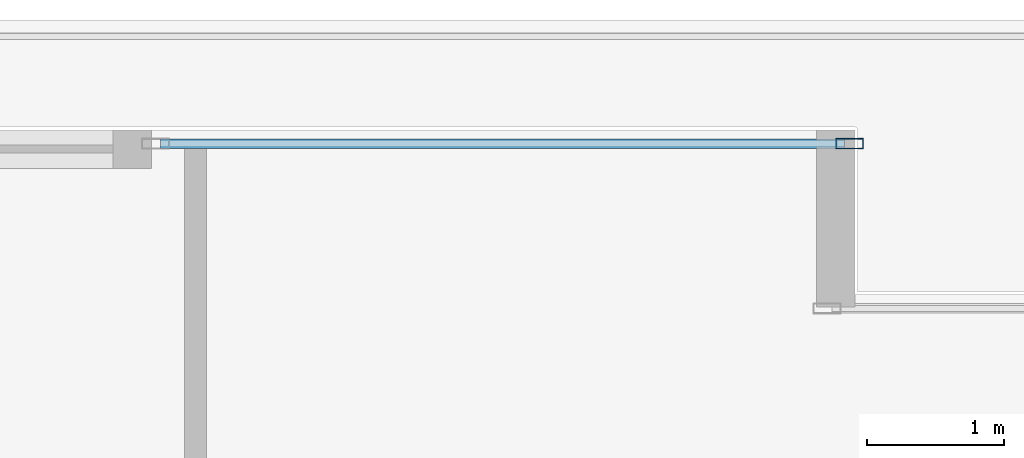
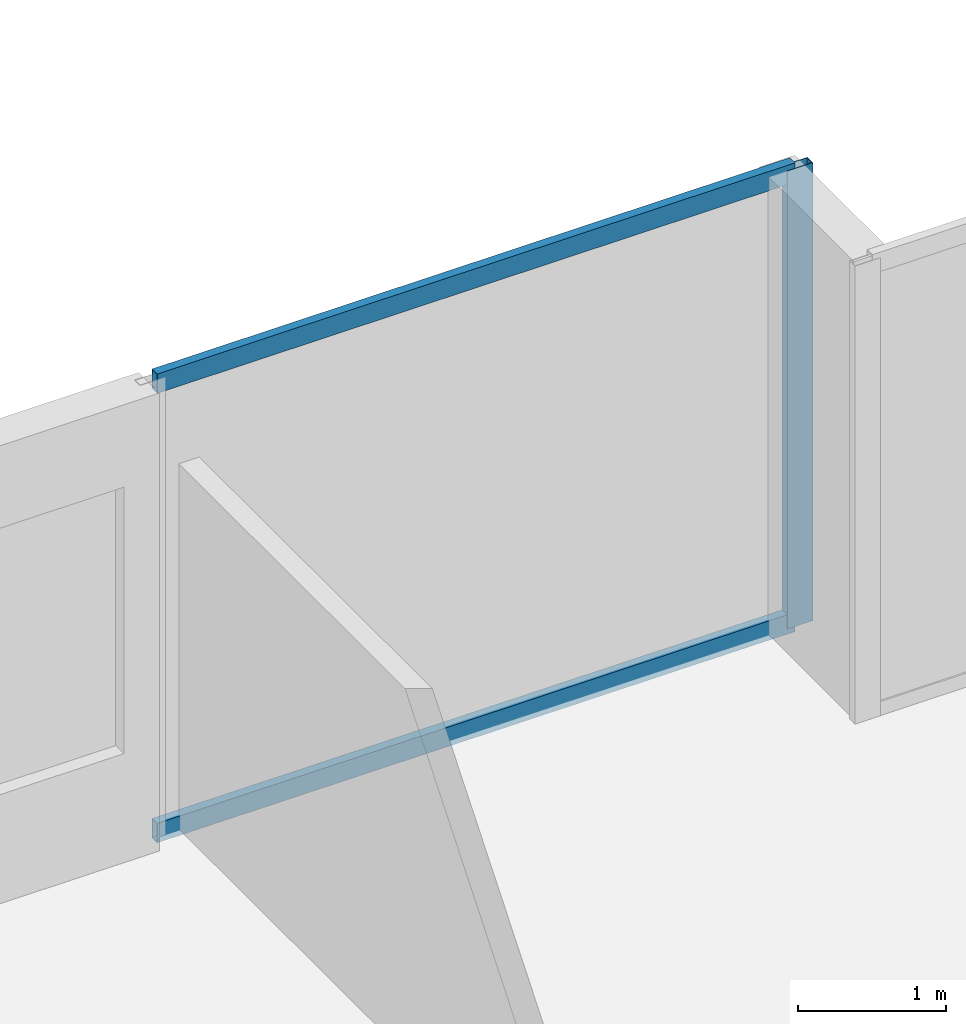
# One storey, part 16 of 36: 3 members, 1 element without a shape of its own.
"""IFC4 building model written with IfcOpenShell, lengths in metres."""

from ifc_helpers import new_model, si_unit, direction, frame, origin, origin_2d, place, context, subcontext, project, spatial, hollow_rectangle, extrude, source, transform, mapped, material, layer, layer_set, material_profile, profile_set, type_object, type_shapes, element, aggregate, save


model = new_model("IFC4")

# Units and contexts
model_context = context("Model", 3, precision=1e-05, world=origin(), true_north=direction((0.0, 1.0)))
body_context = subcontext(model_context, "Body", "Model", "MODEL_VIEW")
ifc_project = project(units=[si_unit("LENGTHUNIT", "METRE"), si_unit("AREAUNIT", "SQUARE_METRE"), si_unit("VOLUMEUNIT", "CUBIC_METRE"), si_unit("PLANEANGLEUNIT", "RADIAN"), si_unit("MASSUNIT", "GRAM", prefix="KILO")], contexts=[model_context])

# Site, building, storey
site_placement = place(None, origin())
site = spatial("IfcSite", under=ifc_project, at=site_placement, CompositionType="ELEMENT")
building_placement = place(site_placement, origin())
building = spatial("IfcBuilding", under=site, at=building_placement, Name="Haelvirn Gate Laboratories", CompositionType="ELEMENT")
storey_placement = place(building_placement, frame((0.0, 0.0, 25.199951171875)))
storey = spatial("IfcBuildingStorey", under=building, at=storey_placement, Name="L06", CompositionType="ELEMENT", Elevation=25.199951171875)

# Curtain wall, members
ifc_material_1 = material(Name="Anodised bronze unitised aluminium & triple low-E glass", Category="aluminium")
ifc_layer = layer(ifc_material_1, 0.18408203125, Name="CW-SYS-2")
ifc_layer_set = layer_set([ifc_layer], Name="Anodised bronze unitised aluminium & triple low-E glass")
curtain_wall_type = type_object("IfcCurtainWallType", Name="CW-SYS-2", PredefinedType="NOTDEFINED", material=ifc_layer_set)
curtain_wall_placement = place(storey_placement, origin())
curtain_wall = element("IfcCurtainWall", 1, at=curtain_wall_placement, inside=storey, type_object=curtain_wall_type, Name="L06 Unitised Curtain Wall CW-L06-P0-E14-2", PredefinedType="NOTDEFINED")
ifc_material_2 = material(Name="Extruded aluminium 6063-T6 (anodised bronze)", Category="aluminium")
ifc_material_profile_1 = material_profile(ifc_material_2, hollow_rectangle(XDim=0.074951171875, YDim=0.199951171875, WallThickness=0.0048828125, at=origin_2d()), Name="CWM-200x75x5")
ifc_profile_set_1 = profile_set([ifc_material_profile_1], Name="Extruded aluminium 6063-T6 (anodised bronze)")
member_type_1 = type_object("IfcMemberType", Name="CWM-T200", PredefinedType="MULLION", material=ifc_profile_set_1)
shared_shape_1 = source(origin(), body_context, "Body", "SweptSolid", [
    extrude(hollow_rectangle(XDim=0.074951171875, YDim=0.199951171875, WallThickness=0.0048828125, at=origin_2d()), origin(), (0.0, 0.0, 1.0), 3.780029296875),
])
type_shapes(member_type_1, [shared_shape_1])
member_1_placement = place(storey_placement, frame((25.362548828125, 48.5, 0.0), z_axis=(0.0, 0.0, 1.0), x_axis=(0.0, 1.0, 0.0)))
member_1 = element("IfcMember", 2, at=member_1_placement, type_object=member_type_1, Name="CW2 mullion 2", PredefinedType="MULLION", context=body_context, shape_type="MappedRepresentation", body=[
    mapped(shared_shape_1, transform((0.0, 0.0, 0.0), scale=1.0)),
])
ifc_material_profile_2 = material_profile(ifc_material_2, hollow_rectangle(XDim=0.070068359375, YDim=0.159912109375, WallThickness=0.0048828125, at=origin_2d()), Name="CWT-160x70x5")
ifc_profile_set_2 = profile_set([ifc_material_profile_2], Name="Extruded aluminium 6063-T6 (anodised bronze)")
member_type_2 = type_object("IfcMemberType", Name="CWT-T160", PredefinedType="USERDEFINED", material=ifc_profile_set_2)
shared_shape_2 = source(origin(), body_context, "Body", "SweptSolid", [
    extrude(hollow_rectangle(XDim=0.070068359375, YDim=0.159912109375, WallThickness=0.0048828125, at=origin_2d()), origin(), (0.0, 0.0, 1.0), 4.97998046875),
])
type_shapes(member_type_2, [shared_shape_2])
member_2_placement = place(storey_placement, frame((20.344970703125, 48.5, 0.03515625), z_axis=(1.0, 0.0, 0.0), x_axis=(0.0, 1.0, 0.0)))
member_2 = element("IfcMember", 3, at=member_2_placement, type_object=member_type_2, Name="CW2 transom 1.1", ObjectType="TRANSOM", PredefinedType="USERDEFINED", context=body_context, shape_type="MappedRepresentation", body=[
    mapped(shared_shape_2, transform((0.0, 0.0, 0.0), scale=1.0)),
])
member_3_placement = place(storey_placement, frame((20.344970703125, 48.5, 3.7451171875), z_axis=(1.0, 0.0, 0.0), x_axis=(0.0, 1.0, 0.0)))
member_3 = element("IfcMember", 4, at=member_3_placement, type_object=member_type_2, Name="CW2 transom 1.2", ObjectType="TRANSOM", PredefinedType="USERDEFINED", context=body_context, shape_type="MappedRepresentation", body=[
    mapped(shared_shape_2, transform((0.0, 0.0, 0.0), scale=1.0)),
])
aggregate(curtain_wall, [member_1, member_2, member_3])

save(model, "model.ifc")
